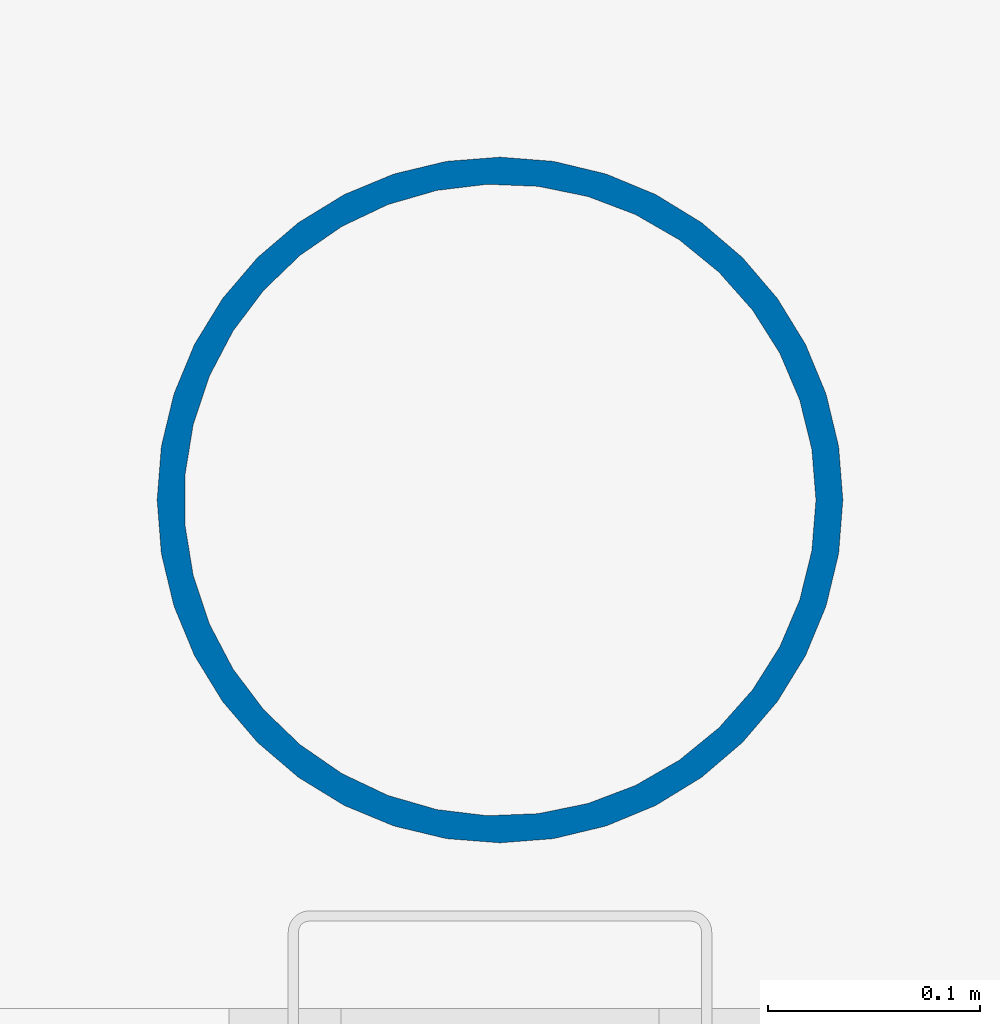
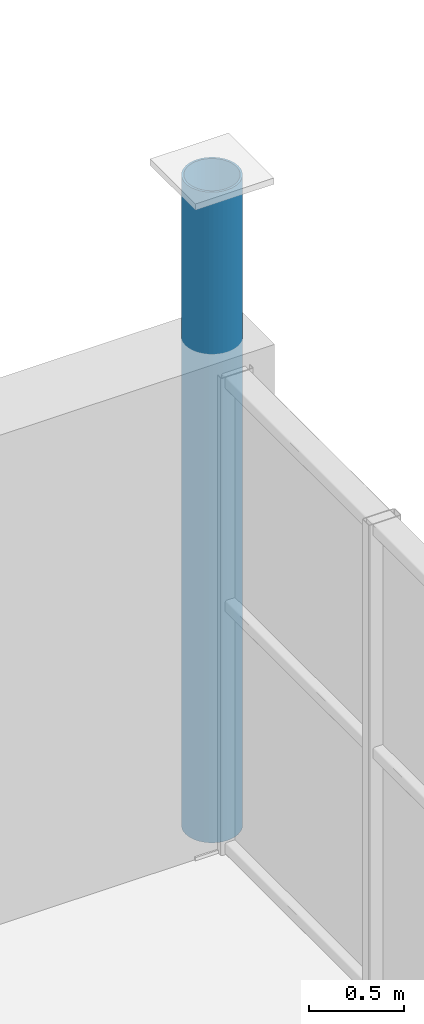
# One storey, part 10 of 30: 1 column.
"""IFC4 building model written with IfcOpenShell, lengths in metres."""

from ifc_helpers import new_model, si_unit, direction, frame, origin, origin_2d, place, context, subcontext, project, spatial, hollow_circle, extrude, material, material_profile, profile_set, type_object, element, save


model = new_model("IFC4")

# Units and contexts
model_context = context("Model", 3, precision=1e-05, world=origin(), true_north=direction((0.0, 1.0)))
body_context = subcontext(model_context, "Body", "Model", "MODEL_VIEW")
ifc_project = project(units=[si_unit("LENGTHUNIT", "METRE"), si_unit("AREAUNIT", "SQUARE_METRE"), si_unit("VOLUMEUNIT", "CUBIC_METRE"), si_unit("PLANEANGLEUNIT", "RADIAN"), si_unit("MASSUNIT", "GRAM", prefix="KILO")], contexts=[model_context])

# Site, building, storey
site_placement = place(None, origin())
site = spatial("IfcSite", under=ifc_project, at=site_placement, CompositionType="ELEMENT")
building_placement = place(site_placement, origin())
building = spatial("IfcBuilding", under=site, at=building_placement, Name="Verrall Gate Interchange", CompositionType="ELEMENT")
storey_placement = place(building_placement, frame((0.0, 0.0, 19.39990234375)))
storey = spatial("IfcBuildingStorey", under=building, at=storey_placement, Name="L05", CompositionType="ELEMENT", Elevation=19.39990234375)

# Column
ifc_material = material(Name="Structural Steel CSA G40.21 350WT Cat 4", Category="steel")
ifc_material_profile = material_profile(ifc_material, hollow_circle(Radius=0.161865234375, WallThickness=0.0126953125, at=origin_2d()), Name="HSS324x13")
ifc_profile_set = profile_set([ifc_material_profile], Name="Structural Steel CSA G40.21 350WT Cat 4")
column_type = type_object("IfcColumnType", Name="C-15 Column HSS324x13", PredefinedType="COLUMN", material=ifc_profile_set)
column_placement = place(storey_placement, frame((36.0, 66.0, 0.0), z_axis=(0.0, 0.0, 1.0), x_axis=(1.0, 0.0, 0.0)))
element("IfcColumn", 1, at=column_placement, inside=storey, type_object=column_type, Name="L05 Column COL-L05-0808 (C-15)", PredefinedType="COLUMN", context=body_context, shape_type="SweptSolid", body=[
    extrude(hollow_circle(Radius=0.161865234375, WallThickness=0.0126953125, at=origin_2d()), origin(), (0.0, 0.0, 1.0), 4.2001953125),
])

save(model, "model.ifc")
